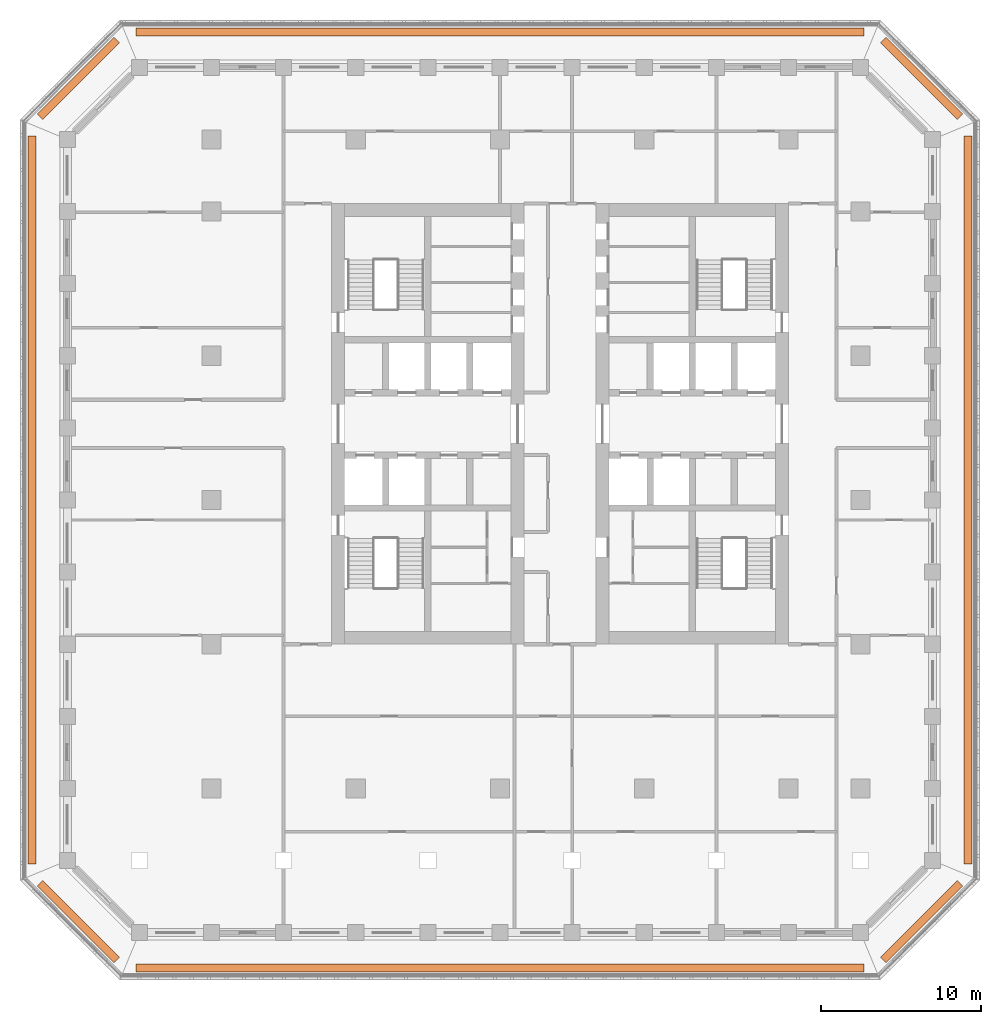
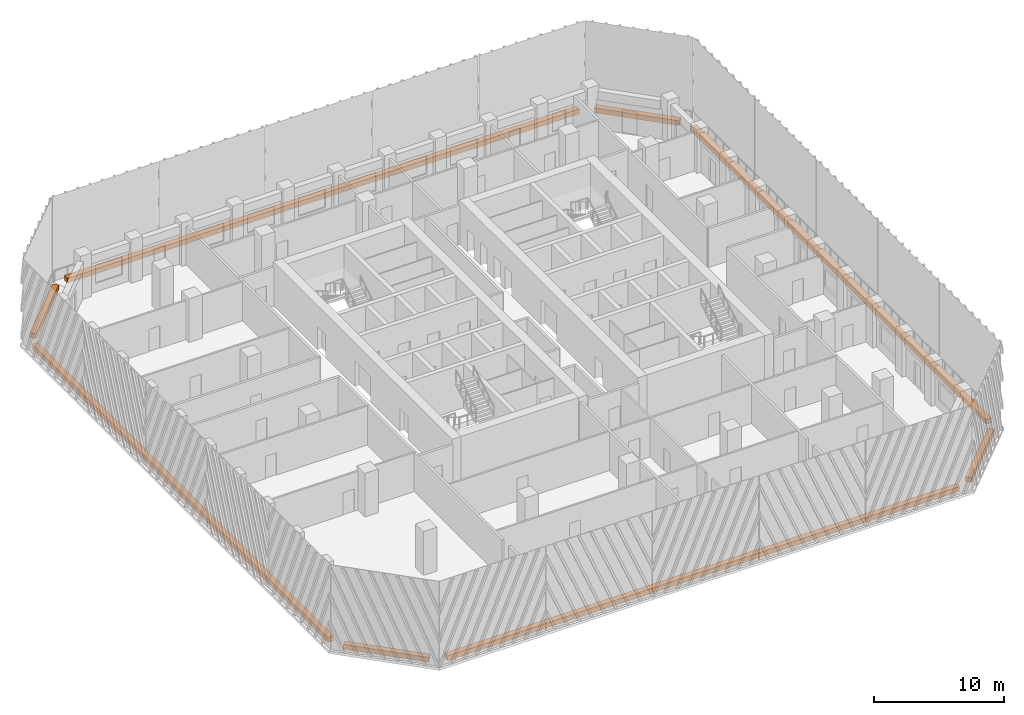
# One storey, part 17 of 17: 8 proxies.
"""IFC4 building model written with IfcOpenShell, lengths in metres."""

import ifcopenshell
import ifcopenshell.guid

model = None  # the IFC model being written
_history = None  # IfcOwnerHistory: only IFC2X3 demands one
_inside = {}  # id of a spatial element -> (the spatial element, [elements in it])
_under = {}  # id of a project, library or spatial element -> (it, [spatial elements below it])
_declared = {}  # id of a project -> (the project, [libraries it declares])
_typed = {}  # id of a type object -> (the type object, [elements of that type])
_made_of = {}  # id of a material, layer set ... -> (it, [elements and type objects made of it])


def new_model(schema):
    """Start an empty IFC model of exactly this schema.

    Asked for "IFC4X3", IfcOpenShell would pick the latest addendum, in which some entities
    have other attributes; the version numbers below select the first issue.
    IFC2X3 requires an IfcOwnerHistory on every rooted entity: one is made here for all.
    """
    global model, _history
    if schema == "IFC4X3":
        model = ifcopenshell.file(schema_version=(4, 3, 0, 0))
    else:
        model = ifcopenshell.file(schema=schema)
    _inside.clear()
    _under.clear()
    _declared.clear()
    _typed.clear()
    _made_of.clear()
    _history = None
    if model.schema == "IFC2X3":
        org = make("IfcOrganization", Name="unknown")
        user = make(
            "IfcPersonAndOrganization",
            ThePerson=make("IfcPerson", FamilyName="unknown"),
            TheOrganization=org,
        )
        app = make(
            "IfcApplication",
            ApplicationDeveloper=org,
            Version="unknown",
            ApplicationFullName="unknown",
            ApplicationIdentifier="unknown",
        )
        _history = make(
            "IfcOwnerHistory",
            OwningUser=user,
            OwningApplication=app,
            ChangeAction="ADDED",
            CreationDate=0,
        )
    return model


def make(cls, **values):
    """One entity of the class cls with the attributes given. An attribute that is None is left unset."""
    return model.create_entity(
        cls, **{name: value for name, value in values.items() if value is not None}
    )


def rooted(cls, **values):
    """An entity with a GlobalId (a new one), such as an element, a storey or a relation."""
    return make(cls, GlobalId=ifcopenshell.guid.new(), OwnerHistory=_history, **values)


def si_unit(unit_type, name, prefix=None):
    """IfcSIUnit, for example si_unit("LENGTHUNIT", "METRE", prefix="MILLI")."""
    return make("IfcSIUnit", UnitType=unit_type, Prefix=prefix, Name=name)


def assignment(units):
    """IfcUnitAssignment: the units of a project."""
    return None if units is None else make("IfcUnitAssignment", Units=units)


def point(xyz):
    """IfcCartesianPoint."""
    return None if xyz is None else make("IfcCartesianPoint", Coordinates=xyz)


def direction(xyz):
    """IfcDirection."""
    return None if xyz is None else make("IfcDirection", DirectionRatios=xyz)


def frame(location, z_axis=None, x_axis=None):
    """IfcAxis2Placement3D, a coordinate frame: its origin and axes. An axis left out is left unset."""
    return make(
        "IfcAxis2Placement3D",
        Location=point(location),
        Axis=direction(z_axis),
        RefDirection=direction(x_axis),
    )


def frame_2d(location, x_axis=None):
    """IfcAxis2Placement2D, a coordinate frame in the plane: its origin and x axis."""
    return make(
        "IfcAxis2Placement2D", Location=point(location), RefDirection=direction(x_axis)
    )


def origin():
    """The frame at (0, 0, 0) with its axes left unset."""
    return frame((0.0, 0.0, 0.0))


def origin_2d():
    """The frame at (0, 0) in the plane with its x axis left unset."""
    return frame_2d((0.0, 0.0))


def place(relative_to, where):
    """IfcLocalPlacement: puts the frame where relative to a parent placement (None: the world)."""
    return make(
        "IfcLocalPlacement", PlacementRelTo=relative_to, RelativePlacement=where
    )


def context(
    kind, dimensions, precision=None, world=None, true_north=None, identifier=None
):
    """IfcGeometricRepresentationContext, for example the 3D "Model" context."""
    return make(
        "IfcGeometricRepresentationContext",
        ContextIdentifier=identifier,
        ContextType=kind,
        CoordinateSpaceDimension=dimensions,
        Precision=precision,
        WorldCoordinateSystem=world,
        TrueNorth=true_north,
    )


def subcontext(parent, identifier, kind, view, scale=None):
    """IfcGeometricRepresentationSubContext, for example "Body" below "Model"."""
    return make(
        "IfcGeometricRepresentationSubContext",
        ContextIdentifier=identifier,
        ContextType=kind,
        ParentContext=parent,
        TargetScale=scale,
        TargetView=view,
    )


def project(units=None, contexts=None):
    """IfcProject with its units and contexts."""
    return rooted(
        "IfcProject",
        Name="project",
        RepresentationContexts=contexts,
        UnitsInContext=assignment(units),
    )


def spatial(cls, under=None, at=None, **own):
    """A site, building, storey or space (cls), placed at a placement, below another one or the project."""
    s = rooted(cls, ObjectPlacement=at, **own)
    if under is not None:
        _under.setdefault(under.id(), (under, []))[1].append(s)
    return s


def profile(cls, at=None, kind="AREA", **sizes):
    """A parametric profile (cls). Its sizes go by their IFC names, for example OverallWidth=200.0."""
    return make(cls, ProfileType=kind, Position=at, **sizes)


def rectangle(**sizes):
    """IfcRectangleProfileDef."""
    return profile("IfcRectangleProfileDef", **sizes)


def extrude(swept, where, along, depth):
    """IfcExtrudedAreaSolid: the profile swept, set in the frame where, extruded along a direction by depth."""
    return make(
        "IfcExtrudedAreaSolid",
        SweptArea=swept,
        Position=where,
        ExtrudedDirection=direction(along),
        Depth=depth,
    )


def shape(context_of_items, identifier, shape_type, items):
    """IfcShapeRepresentation: the items that make up one representation, for example the "Body"."""
    return make(
        "IfcShapeRepresentation",
        ContextOfItems=context_of_items,
        RepresentationIdentifier=identifier,
        RepresentationType=shape_type,
        Items=items,
    )


def material(Name=None, Category=None):
    """IfcMaterial."""
    return make("IfcMaterial", Name=Name, Category=Category)


def made_of(thing, what):
    """Note that an element or type object is made of a material, layer set ...; save() writes the relation."""
    if what is not None:
        _made_of.setdefault(what.id(), (what, []))[1].append(thing)
    return thing


def type_object(cls, material=None, **own):
    """A type object (cls), such as IfcWallType, which elements share."""
    return made_of(rooted(cls, **own), material)


def element(
    cls,
    number,
    at=None,
    inside=None,
    cuts=None,
    type_object=None,
    material=None,
    context=None,
    identifier="Body",
    shape_type=None,
    held_by="IfcProductDefinitionShape",
    body=None,
    shapes=None,
    **own,
):
    """One element of the class cls, such as IfcWall. Its Tag is "e" and its number.

    at: its placement. inside: the storey or other place that contains it. cuts: it is an
    opening in that element (IfcRelVoidsElement). A single representation is given by context,
    identifier, shape_type and body (its items); several are given by shapes. held_by: the class
    of the entity that holds the representations. save() writes the other relations.
    """
    e = rooted(cls, Tag="e%d" % number, ObjectPlacement=at, **own)
    if body is not None:
        shapes = [shape(context, identifier, shape_type, body)]
    if shapes is not None:
        e.Representation = make(held_by, Representations=shapes)
    if inside is not None:
        _inside.setdefault(inside.id(), (inside, []))[1].append(e)
    if cuts is not None:
        rooted(
            "IfcRelVoidsElement", RelatingBuildingElement=cuts, RelatedOpeningElement=e
        )
    if type_object is not None:
        _typed.setdefault(type_object.id(), (type_object, []))[1].append(e)
    return made_of(e, material)


def aggregate(whole, parts):
    """IfcRelAggregates: a whole, such as a stair, and the parts it consists of."""
    return rooted("IfcRelAggregates", RelatingObject=whole, RelatedObjects=parts)


def save(model, path):
    """Write the relations noted so far, then the file.

    IfcRelAggregates (storeys below a building ...), IfcRelContainedInSpatialStructure (elements
    in a storey), IfcRelDefinesByType, IfcRelAssociatesMaterial and IfcRelDeclares: one each for
    every whole, place, type object, material and project.
    """
    for whole, parts in _under.values():
        aggregate(whole, parts)
    for where, things in _inside.values():
        rooted(
            "IfcRelContainedInSpatialStructure",
            RelatedElements=things,
            RelatingStructure=where,
        )
    for kind, things in _typed.values():
        rooted("IfcRelDefinesByType", RelatedObjects=things, RelatingType=kind)
    for what, things in _made_of.values():
        rooted("IfcRelAssociatesMaterial", RelatedObjects=things, RelatingMaterial=what)
    for by, libraries in _declared.values():
        rooted("IfcRelDeclares", RelatingContext=by, RelatedDefinitions=libraries)
    model.write(path)


model = new_model("IFC4")

# Units and contexts
model_context = context("Model", 3, precision=1e-05, world=origin(), true_north=direction((0.0, 1.0)))
body_context = subcontext(model_context, "Body", "Model", "MODEL_VIEW")
ifc_project = project(units=[si_unit("LENGTHUNIT", "METRE"), si_unit("AREAUNIT", "SQUARE_METRE"), si_unit("VOLUMEUNIT", "CUBIC_METRE"), si_unit("PLANEANGLEUNIT", "RADIAN"), si_unit("MASSUNIT", "GRAM", prefix="KILO")], contexts=[model_context])

# Site, building, storey
site_placement = place(None, origin())
site = spatial("IfcSite", under=ifc_project, at=site_placement, CompositionType="ELEMENT")
building_placement = place(site_placement, origin())
building = spatial("IfcBuilding", under=site, at=building_placement, Name="Corbel Stack Research Tower", CompositionType="ELEMENT")
storey_placement = place(building_placement, frame((0.0, 0.0, 156.800048828125)))
storey = spatial("IfcBuildingStorey", under=building, at=storey_placement, Name="L35", CompositionType="ELEMENT", Elevation=156.800048828125)

# Proxies
ifc_material = material(Name="Concrete C45/55", Category="concrete")
building_element_proxy_type = type_object("IfcBuildingElementProxyType", Name="Planter box", PredefinedType="USERDEFINED", material=ifc_material)
proxy_1_placement = place(storey_placement, frame((0.0, -29.199951171875, 0.0), z_axis=(0.0, 0.0, 1.0), x_axis=(1.0, 0.0, 0.0)))
element("IfcBuildingElementProxy", 1, at=proxy_1_placement, inside=storey, type_object=building_element_proxy_type, Name="Planter L35 S", ObjectType="PLANTER", PredefinedType="USERDEFINED", context=body_context, shape_type="SweptSolid", body=[
    extrude(rectangle(XDim=45.41064453125, YDim=0.5, at=origin_2d()), origin(), (0.0, 0.0, 1.0), 0.449951171875),
])
proxy_2_placement = place(storey_placement, frame((26.3056640625, -26.3056640625, 0.0), z_axis=(0.0, 0.0, 1.0), x_axis=(0.707106781187, 0.707106781187, 0.0)))
element("IfcBuildingElementProxy", 2, at=proxy_2_placement, inside=storey, type_object=building_element_proxy_type, Name="Planter L35 SE", ObjectType="PLANTER", PredefinedType="USERDEFINED", context=body_context, shape_type="SweptSolid", body=[
    extrude(rectangle(XDim=6.774658203125, YDim=0.5, at=origin_2d()), origin(), (0.0, 0.0, 1.0), 0.449951171875),
])
proxy_3_placement = place(storey_placement, frame((29.199951171875, 0.0, 0.0), z_axis=(0.0, 0.0, 1.0), x_axis=(0.0, 1.0, 0.0)))
element("IfcBuildingElementProxy", 3, at=proxy_3_placement, inside=storey, type_object=building_element_proxy_type, Name="Planter L35 E", ObjectType="PLANTER", PredefinedType="USERDEFINED", context=body_context, shape_type="SweptSolid", body=[
    extrude(rectangle(XDim=45.41064453125, YDim=0.5, at=origin_2d()), origin(), (0.0, 0.0, 1.0), 0.449951171875),
])
proxy_4_placement = place(storey_placement, frame((26.3056640625, 26.3056640625, 0.0), z_axis=(0.0, 0.0, 1.0), x_axis=(-0.707106781187, 0.707106781187, 0.0)))
element("IfcBuildingElementProxy", 4, at=proxy_4_placement, inside=storey, type_object=building_element_proxy_type, Name="Planter L35 NE", ObjectType="PLANTER", PredefinedType="USERDEFINED", context=body_context, shape_type="SweptSolid", body=[
    extrude(rectangle(XDim=6.774658203125, YDim=0.5, at=origin_2d()), origin(), (0.0, 0.0, 1.0), 0.449951171875),
])
proxy_5_placement = place(storey_placement, frame((0.0, 29.199951171875, 0.0), z_axis=(0.0, 0.0, 1.0), x_axis=(-1.0, 0.0, 0.0)))
element("IfcBuildingElementProxy", 5, at=proxy_5_placement, inside=storey, type_object=building_element_proxy_type, Name="Planter L35 N", ObjectType="PLANTER", PredefinedType="USERDEFINED", context=body_context, shape_type="SweptSolid", body=[
    extrude(rectangle(XDim=45.41064453125, YDim=0.5, at=origin_2d()), origin(), (0.0, 0.0, 1.0), 0.449951171875),
])
proxy_6_placement = place(storey_placement, frame((-26.3056640625, 26.3056640625, 0.0), z_axis=(0.0, 0.0, 1.0), x_axis=(-0.707106781187, -0.707106781187, 0.0)))
element("IfcBuildingElementProxy", 6, at=proxy_6_placement, inside=storey, type_object=building_element_proxy_type, Name="Planter L35 NW", ObjectType="PLANTER", PredefinedType="USERDEFINED", context=body_context, shape_type="SweptSolid", body=[
    extrude(rectangle(XDim=6.774658203125, YDim=0.5, at=origin_2d()), origin(), (0.0, 0.0, 1.0), 0.449951171875),
])
proxy_7_placement = place(storey_placement, frame((-29.199951171875, 0.0, 0.0), z_axis=(0.0, 0.0, 1.0), x_axis=(0.0, -1.0, 0.0)))
element("IfcBuildingElementProxy", 7, at=proxy_7_placement, inside=storey, type_object=building_element_proxy_type, Name="Planter L35 W", ObjectType="PLANTER", PredefinedType="USERDEFINED", context=body_context, shape_type="SweptSolid", body=[
    extrude(rectangle(XDim=45.41064453125, YDim=0.5, at=origin_2d()), origin(), (0.0, 0.0, 1.0), 0.449951171875),
])
proxy_8_placement = place(storey_placement, frame((-26.3056640625, -26.3056640625, 0.0), z_axis=(0.0, 0.0, 1.0), x_axis=(0.707106781187, -0.707106781187, 0.0)))
element("IfcBuildingElementProxy", 8, at=proxy_8_placement, inside=storey, type_object=building_element_proxy_type, Name="Planter L35 SW", ObjectType="PLANTER", PredefinedType="USERDEFINED", context=body_context, shape_type="SweptSolid", body=[
    extrude(rectangle(XDim=6.774658203125, YDim=0.5, at=origin_2d()), origin(), (0.0, 0.0, 1.0), 0.449951171875),
])

save(model, "model.ifc")
